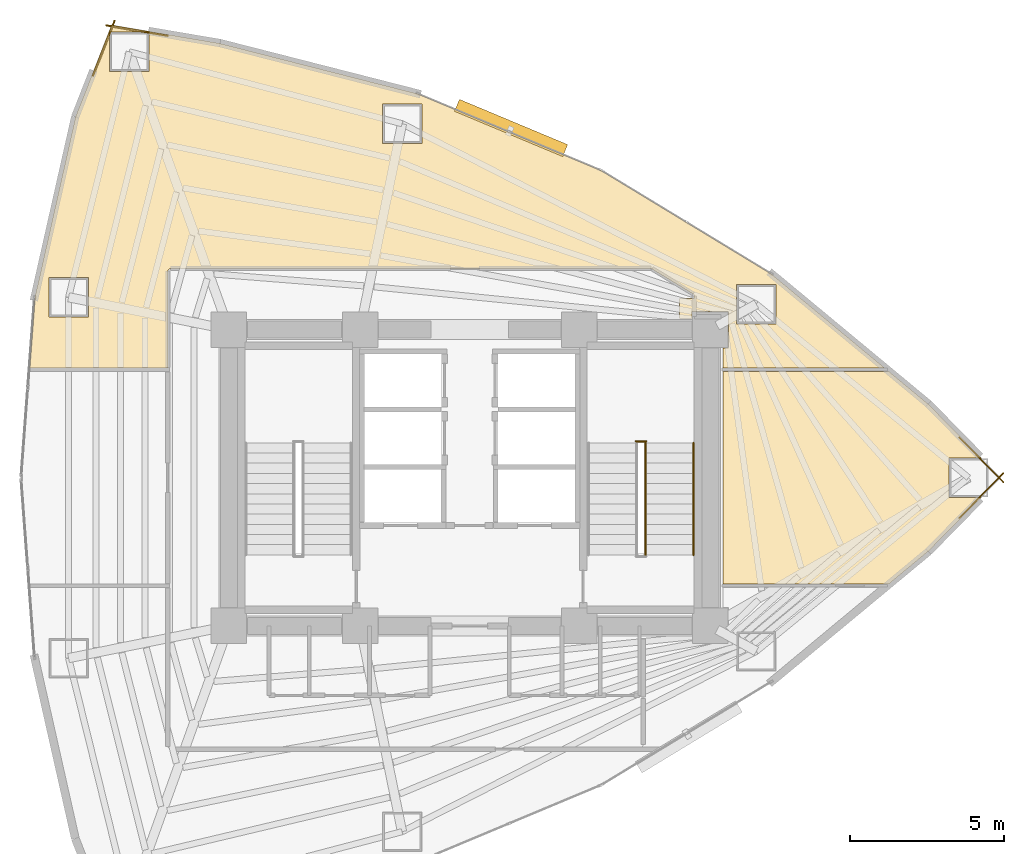
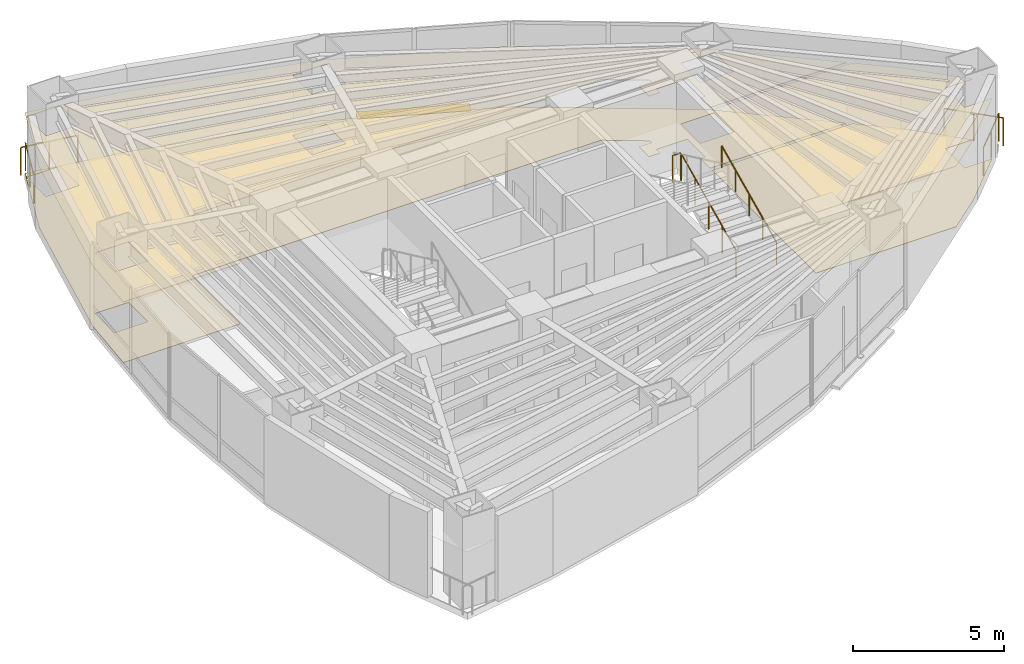
# One storey, part 18 of 18: 7 railings, 4 coverings, 1 shading device.
"""IFC4 building model written with IfcOpenShell, lengths in metres."""

from ifc_helpers import new_model, si_unit, direction, frame, origin, origin_2d, place, context, subcontext, project, spatial, polyline, rectangle, circle, outline, extrude, material, layer, layer_set, type_object, element, save


model = new_model("IFC4")

# Units and contexts
model_context = context("Model", 3, precision=1e-05, world=origin(), true_north=direction((0.0, 1.0)))
body_context = subcontext(model_context, "Body", "Model", "MODEL_VIEW")
ifc_project = project(units=[si_unit("LENGTHUNIT", "METRE"), si_unit("AREAUNIT", "SQUARE_METRE"), si_unit("VOLUMEUNIT", "CUBIC_METRE"), si_unit("PLANEANGLEUNIT", "RADIAN"), si_unit("MASSUNIT", "GRAM", prefix="KILO")], contexts=[model_context])

# Site, building, storey
site_placement = place(None, origin())
site = spatial("IfcSite", under=ifc_project, at=site_placement, CompositionType="ELEMENT")
building_placement = place(site_placement, origin())
building = spatial("IfcBuilding", under=site, at=building_placement, Name="Menara Vayukalpa", CompositionType="ELEMENT")
storey_placement = place(building_placement, frame((0.0, 0.0, 89.10009765625)))
storey = spatial("IfcBuildingStorey", under=building, at=storey_placement, Name="L21", CompositionType="ELEMENT", Elevation=89.10009765625)

# Coverings
ifc_material_1 = material(Name="Mineral Fibre Acoustic Ceiling Tile", Category="masonry")
ifc_layer_1 = layer(ifc_material_1, 0.02490234375)
ifc_layer_set_1 = layer_set([ifc_layer_1], Name="Mineral Fibre Acoustic Ceiling Tile")
covering_type_1 = type_object("IfcCoveringType", Name="COV-CLG1", PredefinedType="CEILING", material=ifc_layer_set_1)
covering_1_placement = place(storey_placement, frame((0.0, 0.0, 2.449951171875)))
element("IfcCovering", 1, at=covering_1_placement, inside=storey, type_object=covering_type_1, Name="L21 Technical Reference Library Acoustic Ceiling", PredefinedType="CEILING", context=body_context, shape_type="SweptSolid", body=[
    extrude(outline(polyline([(42.169677734375, 22.639892578125), (41.121826171875, 22.639892578125), (41.121826171875, 21.360107421875), (42.169677734375, 21.360107421875), (40.461181640625, 19.6201171875), (40.46044921875, 19.619384765625), (39.177978515625, 18.5556640625), (39.17724609375, 18.55517578125), (39.176513671875, 18.5546875), (39.175537109375, 18.55419921875), (39.1748046875, 18.553955078125), (39.173828125, 18.5537109375), (39.1728515625, 18.553466796875), (39.171875, 18.553466796875), (39.1708984375, 18.553466796875), (39.169921875, 18.553466796875), (39.1689453125, 18.5537109375), (39.168212890625, 18.553955078125), (39.167236328125, 18.554443359375), (39.1650390625, 18.555419921875), (39.159423828125, 18.557373046875), (39.15380859375, 18.558837890625), (39.148193359375, 18.559814453125), (39.141845703125, 18.56005859375), (33.820068359375, 18.56005859375), (33.819091796875, 18.56005859375), (33.818115234375, 18.560302734375), (33.817138671875, 18.560302734375), (33.816162109375, 18.560791015625), (33.815185546875, 18.561279296875), (33.814453125, 18.561767578125), (33.813720703125, 18.562255859375), (33.81298828125, 18.56298828125), (33.812255859375, 18.563720703125), (33.811767578125, 18.564453125), (33.811279296875, 18.565185546875), (33.810791015625, 18.566162109375), (33.810302734375, 18.567138671875), (33.810302734375, 18.568115234375), (33.81005859375, 18.569091796875), (33.81005859375, 18.570068359375), (33.81005859375, 25.429931640625), (33.81005859375, 25.430908203125), (33.810302734375, 25.431884765625), (33.810302734375, 25.432861328125), (33.810791015625, 25.433837890625), (33.811279296875, 25.434814453125), (33.811767578125, 25.435546875), (33.812255859375, 25.436279296875), (33.81298828125, 25.43701171875), (33.813720703125, 25.437744140625), (33.814453125, 25.438232421875), (33.815185546875, 25.438720703125), (33.816162109375, 25.439208984375), (33.817138671875, 25.439697265625), (33.818115234375, 25.439697265625), (33.819091796875, 25.43994140625), (33.820068359375, 25.43994140625), (39.141845703125, 25.43994140625), (39.148193359375, 25.440185546875), (39.15380859375, 25.441162109375), (39.159423828125, 25.442626953125), (39.1650390625, 25.444580078125), (39.167236328125, 25.445556640625), (39.168212890625, 25.446044921875), (39.1689453125, 25.4462890625), (39.169921875, 25.446533203125), (39.1708984375, 25.446533203125), (39.171875, 25.446533203125), (39.1728515625, 25.446533203125), (39.173828125, 25.4462890625), (39.1748046875, 25.446044921875), (39.175537109375, 25.44580078125), (39.176513671875, 25.4453125), (39.17724609375, 25.44482421875), (39.177978515625, 25.4443359375), (40.46044921875, 24.380615234375), (40.461181640625, 24.3798828125), (42.169677734375, 22.639892578125)])), origin(), (0.0, 0.0, 1.0), 0.02490234375),
])
covering_2_placement = place(storey_placement, frame((0.0, 0.0, 2.449951171875)))
element("IfcCovering", 2, at=covering_2_placement, inside=storey, type_object=covering_type_1, Name="L21 Staff Dining and Pantry Acoustic Ceiling", PredefinedType="CEILING", context=body_context, shape_type="SweptSolid", body=[
    extrude(outline(polyline([(32.389892578125, 27.81005859375), (32.8701171875, 27.81005859375), (32.8701171875, 27.89111328125), (32.86962890625, 27.8984375), (32.868408203125, 27.905517578125), (32.86669921875, 27.912353515625), (32.8642578125, 27.919189453125), (32.861083984375, 27.925537109375), (32.857177734375, 27.931640625), (32.852783203125, 27.937255859375), (32.847900390625, 27.9423828125), (32.84228515625, 27.947021484375), (32.836181640625, 27.951171875), (31.505126953125, 28.759765625), (31.49951171875, 28.762939453125), (31.49365234375, 28.765380859375), (31.487548828125, 28.767333984375), (31.481201171875, 28.768798828125), (31.47509765625, 28.769775390625), (31.468505859375, 28.77001953125), (15.900390625, 28.77001953125), (15.893310546875, 28.76953125), (15.88623046875, 28.768798828125), (15.879638671875, 28.76708984375), (15.873291015625, 28.7646484375), (15.866943359375, 28.76171875), (15.861083984375, 28.75830078125), (15.85546875, 28.75390625), (15.8505859375, 28.74951171875), (15.845947265625, 28.744384765625), (15.841796875, 28.73876953125), (15.838134765625, 28.73291015625), (15.835205078125, 28.726806640625), (15.8330078125, 28.72021484375), (15.831298828125, 28.713623046875), (15.830322265625, 28.706787109375), (15.830078125, 28.69970703125), (15.830078125, 25.570068359375), (15.830078125, 25.569091796875), (15.829833984375, 25.568115234375), (15.82958984375, 25.567138671875), (15.8291015625, 25.566162109375), (15.828857421875, 25.565185546875), (15.828369140625, 25.564453125), (15.82763671875, 25.563720703125), (15.8271484375, 25.56298828125), (15.826416015625, 25.562255859375), (15.82568359375, 25.561767578125), (15.82470703125, 25.561279296875), (15.82373046875, 25.560791015625), (15.822998046875, 25.560302734375), (15.822021484375, 25.560302734375), (15.821044921875, 25.56005859375), (15.820068359375, 25.56005859375), (11.35595703125, 25.56005859375), (11.35498046875, 25.56005859375), (11.35400390625, 25.560302734375), (11.35302734375, 25.560302734375), (11.352294921875, 25.560791015625), (11.351318359375, 25.56103515625), (11.3505859375, 25.5615234375), (11.349609375, 25.562255859375), (11.34912109375, 25.56298828125), (11.348388671875, 25.563720703125), (11.347900390625, 25.564208984375), (11.347412109375, 25.565185546875), (11.3466796875, 25.56591796875), (11.346435546875, 25.56689453125), (11.34619140625, 25.56787109375), (11.34619140625, 25.56884765625), (11.345947265625, 25.56982421875), (11.345947265625, 25.57080078125), (11.516357421875, 27.843505859375), (11.5166015625, 27.844970703125), (12.831298828125, 33.687744140625), (12.83154296875, 33.6884765625), (12.831787109375, 33.689208984375), (13.997314453125, 36.6572265625), (13.997802734375, 36.658203125), (13.998291015625, 36.658935546875), (13.998779296875, 36.659912109375), (13.99951171875, 36.660400390625), (14.000244140625, 36.6611328125), (14.0009765625, 36.661865234375), (14.001708984375, 36.662353515625), (14.002685546875, 36.66259765625), (14.003662109375, 36.6630859375), (14.00439453125, 36.663330078125), (14.005615234375, 36.66357421875), (14.00634765625, 36.66357421875), (14.00732421875, 36.66357421875), (14.00830078125, 36.66357421875), (17.5078125, 36.0693359375), (17.5087890625, 36.069091796875), (23.903564453125, 34.438232421875), (23.90478515625, 34.437744140625), (29.860595703125, 31.946533203125), (29.861328125, 31.9462890625), (29.862060546875, 31.94580078125), (35.379638671875, 28.593994140625), (35.380859375, 28.59326171875), (39.01708984375, 25.57763671875), (39.017822265625, 25.576904296875), (39.0185546875, 25.576416015625), (39.01904296875, 25.575439453125), (39.01953125, 25.57470703125), (39.02001953125, 25.57373046875), (39.020263671875, 25.572998046875), (39.0205078125, 25.572021484375), (39.020751953125, 25.57080078125), (39.020751953125, 25.570068359375), (39.0205078125, 25.569091796875), (39.0205078125, 25.568115234375), (39.020263671875, 25.567138671875), (39.02001953125, 25.566162109375), (39.01953125, 25.565185546875), (39.01904296875, 25.564453125), (39.018310546875, 25.563720703125), (39.017822265625, 25.56298828125), (39.01708984375, 25.562255859375), (39.01611328125, 25.561767578125), (39.015380859375, 25.561279296875), (39.014404296875, 25.560791015625), (39.013671875, 25.560302734375), (39.0126953125, 25.560302734375), (39.01171875, 25.56005859375), (39.0107421875, 25.56005859375), (33.820068359375, 25.56005859375), (33.819091796875, 25.56005859375), (33.818115234375, 25.560302734375), (33.817138671875, 25.560302734375), (33.816162109375, 25.560791015625), (33.815185546875, 25.561279296875), (33.814453125, 25.561767578125), (33.813720703125, 25.562255859375), (33.81298828125, 25.56298828125), (33.812255859375, 25.563720703125), (33.811767578125, 25.564453125), (33.811279296875, 25.565185546875), (33.810791015625, 25.566162109375), (33.810302734375, 25.567138671875), (33.810302734375, 25.568115234375), (33.81005859375, 25.569091796875), (33.81005859375, 25.570068359375), (33.81005859375, 26.2099609375), (33.989990234375, 26.2099609375), (33.989990234375, 27.389892578125), (32.81005859375, 27.389892578125), (32.81005859375, 27.14990234375), (32.389892578125, 27.14990234375), (32.389892578125, 27.81005859375)]), holes=[polyline([(13.24658203125, 28.485595703125), (11.966552734375, 28.485595703125), (11.966552734375, 27.205810546875), (13.24658203125, 27.205810546875), (13.24658203125, 28.485595703125)]), polyline([(15.208984375, 36.4375), (13.92919921875, 36.4375), (13.92919921875, 35.157470703125), (15.208984375, 35.157470703125), (15.208984375, 36.4375)]), polyline([(35.52685546875, 26.981689453125), (35.52685546875, 28.26171875), (34.246826171875, 28.26171875), (34.246826171875, 26.981689453125), (35.52685546875, 26.981689453125)]), polyline([(24.048095703125, 32.827392578125), (24.048095703125, 34.107421875), (22.768310546875, 34.107421875), (22.768310546875, 32.827392578125), (24.048095703125, 32.827392578125)])]), origin(), (0.0, 0.0, 1.0), 0.02490234375),
])
ifc_material_2 = material(Name="Porcelain Stoneware Floor Tile", Category="masonry")
ifc_layer_2 = layer(ifc_material_2, 0.02001953125)
ifc_layer_set_2 = layer_set([ifc_layer_2], Name="Porcelain Stoneware Floor Tile")
covering_type_2 = type_object("IfcCoveringType", Name="COV-FLR1", PredefinedType="FLOORING", material=ifc_layer_set_2)
covering_3_placement = place(storey_placement, origin())
element("IfcCovering", 3, at=covering_3_placement, inside=storey, type_object=covering_type_2, Name="L21 Technical Reference Library Porcelain Flooring", PredefinedType="FLOORING", context=body_context, shape_type="SweptSolid", body=[
    extrude(outline(polyline([(42.169677734375, 22.639892578125), (41.121826171875, 22.639892578125), (41.121826171875, 21.360107421875), (42.169677734375, 21.360107421875), (40.461181640625, 19.6201171875), (40.46044921875, 19.619384765625), (39.177978515625, 18.5556640625), (39.17724609375, 18.55517578125), (39.176513671875, 18.5546875), (39.175537109375, 18.55419921875), (39.1748046875, 18.553955078125), (39.173828125, 18.5537109375), (39.1728515625, 18.553466796875), (39.171875, 18.553466796875), (39.1708984375, 18.553466796875), (39.169921875, 18.553466796875), (39.1689453125, 18.5537109375), (39.168212890625, 18.553955078125), (39.167236328125, 18.554443359375), (39.1650390625, 18.555419921875), (39.159423828125, 18.557373046875), (39.15380859375, 18.558837890625), (39.148193359375, 18.559814453125), (39.141845703125, 18.56005859375), (33.820068359375, 18.56005859375), (33.819091796875, 18.56005859375), (33.818115234375, 18.560302734375), (33.817138671875, 18.560302734375), (33.816162109375, 18.560791015625), (33.815185546875, 18.561279296875), (33.814453125, 18.561767578125), (33.813720703125, 18.562255859375), (33.81298828125, 18.56298828125), (33.812255859375, 18.563720703125), (33.811767578125, 18.564453125), (33.811279296875, 18.565185546875), (33.810791015625, 18.566162109375), (33.810302734375, 18.567138671875), (33.810302734375, 18.568115234375), (33.81005859375, 18.569091796875), (33.81005859375, 18.570068359375), (33.81005859375, 25.429931640625), (33.81005859375, 25.430908203125), (33.810302734375, 25.431884765625), (33.810302734375, 25.432861328125), (33.810791015625, 25.433837890625), (33.811279296875, 25.434814453125), (33.811767578125, 25.435546875), (33.812255859375, 25.436279296875), (33.81298828125, 25.43701171875), (33.813720703125, 25.437744140625), (33.814453125, 25.438232421875), (33.815185546875, 25.438720703125), (33.816162109375, 25.439208984375), (33.817138671875, 25.439697265625), (33.818115234375, 25.439697265625), (33.819091796875, 25.43994140625), (33.820068359375, 25.43994140625), (39.141845703125, 25.43994140625), (39.148193359375, 25.440185546875), (39.15380859375, 25.441162109375), (39.159423828125, 25.442626953125), (39.1650390625, 25.444580078125), (39.167236328125, 25.445556640625), (39.168212890625, 25.446044921875), (39.1689453125, 25.4462890625), (39.169921875, 25.446533203125), (39.1708984375, 25.446533203125), (39.171875, 25.446533203125), (39.1728515625, 25.446533203125), (39.173828125, 25.4462890625), (39.1748046875, 25.446044921875), (39.175537109375, 25.44580078125), (39.176513671875, 25.4453125), (39.17724609375, 25.44482421875), (39.177978515625, 25.4443359375), (40.46044921875, 24.380615234375), (40.461181640625, 24.3798828125), (42.169677734375, 22.639892578125)])), origin(), (0.0, 0.0, 1.0), 0.02001953125),
])
covering_4_placement = place(storey_placement, origin())
element("IfcCovering", 4, at=covering_4_placement, inside=storey, type_object=covering_type_2, Name="L21 Staff Dining and Pantry Porcelain Flooring", PredefinedType="FLOORING", context=body_context, shape_type="SweptSolid", body=[
    extrude(outline(polyline([(32.389892578125, 27.81005859375), (32.8701171875, 27.81005859375), (32.8701171875, 27.89111328125), (32.86962890625, 27.8984375), (32.868408203125, 27.905517578125), (32.86669921875, 27.912353515625), (32.8642578125, 27.919189453125), (32.861083984375, 27.925537109375), (32.857177734375, 27.931640625), (32.852783203125, 27.937255859375), (32.847900390625, 27.9423828125), (32.84228515625, 27.947021484375), (32.836181640625, 27.951171875), (31.505126953125, 28.759765625), (31.49951171875, 28.762939453125), (31.49365234375, 28.765380859375), (31.487548828125, 28.767333984375), (31.481201171875, 28.768798828125), (31.47509765625, 28.769775390625), (31.468505859375, 28.77001953125), (15.900390625, 28.77001953125), (15.893310546875, 28.76953125), (15.88623046875, 28.768798828125), (15.879638671875, 28.76708984375), (15.873291015625, 28.7646484375), (15.866943359375, 28.76171875), (15.861083984375, 28.75830078125), (15.85546875, 28.75390625), (15.8505859375, 28.74951171875), (15.845947265625, 28.744384765625), (15.841796875, 28.73876953125), (15.838134765625, 28.73291015625), (15.835205078125, 28.726806640625), (15.8330078125, 28.72021484375), (15.831298828125, 28.713623046875), (15.830322265625, 28.706787109375), (15.830078125, 28.69970703125), (15.830078125, 25.570068359375), (15.830078125, 25.569091796875), (15.829833984375, 25.568115234375), (15.82958984375, 25.567138671875), (15.8291015625, 25.566162109375), (15.828857421875, 25.565185546875), (15.828369140625, 25.564453125), (15.82763671875, 25.563720703125), (15.8271484375, 25.56298828125), (15.826416015625, 25.562255859375), (15.82568359375, 25.561767578125), (15.82470703125, 25.561279296875), (15.82373046875, 25.560791015625), (15.822998046875, 25.560302734375), (15.822021484375, 25.560302734375), (15.821044921875, 25.56005859375), (15.820068359375, 25.56005859375), (11.35595703125, 25.56005859375), (11.35498046875, 25.56005859375), (11.35400390625, 25.560302734375), (11.35302734375, 25.560302734375), (11.352294921875, 25.560791015625), (11.351318359375, 25.56103515625), (11.3505859375, 25.5615234375), (11.349609375, 25.562255859375), (11.34912109375, 25.56298828125), (11.348388671875, 25.563720703125), (11.347900390625, 25.564208984375), (11.347412109375, 25.565185546875), (11.3466796875, 25.56591796875), (11.346435546875, 25.56689453125), (11.34619140625, 25.56787109375), (11.34619140625, 25.56884765625), (11.345947265625, 25.56982421875), (11.345947265625, 25.57080078125), (11.516357421875, 27.843505859375), (11.5166015625, 27.844970703125), (12.831298828125, 33.687744140625), (12.83154296875, 33.6884765625), (12.831787109375, 33.689208984375), (13.997314453125, 36.6572265625), (13.997802734375, 36.658203125), (13.998291015625, 36.658935546875), (13.998779296875, 36.659912109375), (13.99951171875, 36.660400390625), (14.000244140625, 36.6611328125), (14.0009765625, 36.661865234375), (14.001708984375, 36.662353515625), (14.002685546875, 36.66259765625), (14.003662109375, 36.6630859375), (14.00439453125, 36.663330078125), (14.005615234375, 36.66357421875), (14.00634765625, 36.66357421875), (14.00732421875, 36.66357421875), (14.00830078125, 36.66357421875), (17.5078125, 36.0693359375), (17.5087890625, 36.069091796875), (23.903564453125, 34.438232421875), (23.90478515625, 34.437744140625), (29.860595703125, 31.946533203125), (29.861328125, 31.9462890625), (29.862060546875, 31.94580078125), (35.379638671875, 28.593994140625), (35.380859375, 28.59326171875), (39.01708984375, 25.57763671875), (39.017822265625, 25.576904296875), (39.0185546875, 25.576416015625), (39.01904296875, 25.575439453125), (39.01953125, 25.57470703125), (39.02001953125, 25.57373046875), (39.020263671875, 25.572998046875), (39.0205078125, 25.572021484375), (39.020751953125, 25.57080078125), (39.020751953125, 25.570068359375), (39.0205078125, 25.569091796875), (39.0205078125, 25.568115234375), (39.020263671875, 25.567138671875), (39.02001953125, 25.566162109375), (39.01953125, 25.565185546875), (39.01904296875, 25.564453125), (39.018310546875, 25.563720703125), (39.017822265625, 25.56298828125), (39.01708984375, 25.562255859375), (39.01611328125, 25.561767578125), (39.015380859375, 25.561279296875), (39.014404296875, 25.560791015625), (39.013671875, 25.560302734375), (39.0126953125, 25.560302734375), (39.01171875, 25.56005859375), (39.0107421875, 25.56005859375), (33.820068359375, 25.56005859375), (33.819091796875, 25.56005859375), (33.818115234375, 25.560302734375), (33.817138671875, 25.560302734375), (33.816162109375, 25.560791015625), (33.815185546875, 25.561279296875), (33.814453125, 25.561767578125), (33.813720703125, 25.562255859375), (33.81298828125, 25.56298828125), (33.812255859375, 25.563720703125), (33.811767578125, 25.564453125), (33.811279296875, 25.565185546875), (33.810791015625, 25.566162109375), (33.810302734375, 25.567138671875), (33.810302734375, 25.568115234375), (33.81005859375, 25.569091796875), (33.81005859375, 25.570068359375), (33.81005859375, 26.2099609375), (33.989990234375, 26.2099609375), (33.989990234375, 27.389892578125), (32.81005859375, 27.389892578125), (32.81005859375, 27.14990234375), (32.389892578125, 27.14990234375), (32.389892578125, 27.81005859375)]), holes=[polyline([(13.24658203125, 28.485595703125), (11.966552734375, 28.485595703125), (11.966552734375, 27.205810546875), (13.24658203125, 27.205810546875), (13.24658203125, 28.485595703125)]), polyline([(15.208984375, 36.4375), (13.92919921875, 36.4375), (13.92919921875, 35.157470703125), (15.208984375, 35.157470703125), (15.208984375, 36.4375)]), polyline([(35.52685546875, 26.981689453125), (35.52685546875, 28.26171875), (34.246826171875, 28.26171875), (34.246826171875, 26.981689453125), (35.52685546875, 26.981689453125)]), polyline([(24.048095703125, 32.827392578125), (24.048095703125, 34.107421875), (22.768310546875, 34.107421875), (22.768310546875, 32.827392578125), (24.048095703125, 32.827392578125)])]), origin(), (0.0, 0.0, 1.0), 0.02001953125),
])

# Railings
ifc_material_3 = material(Name="Laminated Glass and Stainless Steel 316 Guardrail", Category="steel")
railing_type_1 = type_object("IfcRailingType", Name="RLG-EXT115", PredefinedType="GUARDRAIL", material=ifc_material_3)
railing_1_placement = place(storey_placement, frame((41.458740234375, 20.693115234375, 0.0)))
element("IfcRailing", 5, at=railing_1_placement, inside=storey, type_object=railing_type_1, Name="L21 Column Corner Spandrel Guardrail 01-1", PredefinedType="GUARDRAIL", context=body_context, shape_type="SweptSolid", body=[
    extrude(circle(Radius=0.02392578125, at=origin_2d()), frame((0.0, 0.0, 1.1259765625), z_axis=(0.700555740742, 0.713597683652, 0.0), x_axis=(-0.713597683652, 0.700555740742, 0.0)), (0.0, 0.0, 1.0), 2.04052734375),
    extrude(circle(Radius=0.02099609375, at=origin_2d()), origin(), (0.0, 0.0, 1.0), 1.101806640625),
    extrude(circle(Radius=0.02099609375, at=origin_2d()), frame((0.71484375, 0.72802734375, 0.0)), (0.0, 0.0, 1.0), 1.101806640625),
    extrude(circle(Radius=0.02099609375, at=origin_2d()), frame((1.429443359375, 1.4560546875, 0.0)), (0.0, 0.0, 1.0), 1.101806640625),
])
railing_2_placement = place(storey_placement, frame((42.88818359375, 21.850830078125, 0.0)))
element("IfcRailing", 6, at=railing_2_placement, inside=storey, type_object=railing_type_1, Name="L21 Column Corner Spandrel Guardrail 02-1", PredefinedType="GUARDRAIL", context=body_context, shape_type="SweptSolid", body=[
    extrude(circle(Radius=0.02392578125, at=origin_2d()), frame((0.0, 0.0, 1.1259765625), z_axis=(-0.700555740742, 0.713597683652, 0.0), x_axis=(-0.713597683652, -0.700555740742, 0.0)), (0.0, 0.0, 1.0), 2.04052734375),
    extrude(circle(Radius=0.02099609375, at=origin_2d()), origin(), (0.0, 0.0, 1.0), 1.101806640625),
    extrude(circle(Radius=0.02099609375, at=origin_2d()), frame((-0.71484375, 0.72802734375, 0.0)), (0.0, 0.0, 1.0), 1.101806640625),
    extrude(circle(Radius=0.02099609375, at=origin_2d()), frame((-1.429443359375, 1.4560546875, 0.0)), (0.0, 0.0, 1.0), 1.101806640625),
])
railing_3_placement = place(storey_placement, frame((15.818359375, 36.315673828125, 0.0)))
element("IfcRailing", 7, at=railing_3_placement, inside=storey, type_object=railing_type_1, Name="L21 Column Corner Spandrel Guardrail 07-1", PredefinedType="GUARDRAIL", context=body_context, shape_type="SweptSolid", body=[
    extrude(circle(Radius=0.02392578125, at=origin_2d()), frame((0.0, 0.0, 1.1259765625), z_axis=(-0.985895977605, 0.16735925831, 0.0), x_axis=(-0.16735925831, -0.985895977605, 0.0)), (0.0, 0.0, 1.0), 2.01904296875),
    extrude(circle(Radius=0.02099609375, at=origin_2d()), origin(), (0.0, 0.0, 1.0), 1.101806640625),
    extrude(circle(Radius=0.02099609375, at=origin_2d()), frame((-0.9951171875, 0.1689453125, 0.0)), (0.0, 0.0, 1.0), 1.101806640625),
    extrude(circle(Radius=0.02099609375, at=origin_2d()), frame((-1.990478515625, 0.337890625, 0.0)), (0.0, 0.0, 1.0), 1.101806640625),
])
railing_4_placement = place(storey_placement, frame((14.09912109375, 36.806640625, 0.0)))
element("IfcRailing", 8, at=railing_4_placement, inside=storey, type_object=railing_type_1, Name="L21 Column Corner Spandrel Guardrail 08-1", PredefinedType="GUARDRAIL", context=body_context, shape_type="SweptSolid", body=[
    extrude(circle(Radius=0.02392578125, at=origin_2d()), frame((0.0, 0.0, 1.1259765625), z_axis=(-0.365573386764, -0.930782519652, 0.0), x_axis=(0.930782519652, -0.365573386764, 0.0)), (0.0, 0.0, 1.0), 1.91259765625),
    extrude(circle(Radius=0.02099609375, at=origin_2d()), origin(), (0.0, 0.0, 1.0), 1.101806640625),
    extrude(circle(Radius=0.02099609375, at=origin_2d()), frame((-0.349609375, -0.89013671875, 0.0)), (0.0, 0.0, 1.0), 1.101806640625),
    extrude(circle(Radius=0.02099609375, at=origin_2d()), frame((-0.69921875, -1.7802734375, 0.0)), (0.0, 0.0, 1.0), 1.101806640625),
])
ifc_material_4 = material(Name="Powder-Coated Galvanised Steel Guardrail", Category="steel")
railing_type_2 = type_object("IfcRailingType", Name="RLG-STG110", PredefinedType="GUARDRAIL", material=ifc_material_4)
railing_5_placement = place(storey_placement, frame((31.300048828125, 19.5, 0.15478515625)))
element("IfcRailing", 9, at=railing_5_placement, inside=storey, type_object=railing_type_2, Name="L21 ST-2 stair guard 1", PredefinedType="GUARDRAIL", context=body_context, shape_type="SweptSolid", body=[
    extrude(circle(Radius=0.02392578125, at=origin_2d()), frame((0.0, 0.0, 1.09619140625), z_axis=(0.0, 0.90511648382, 0.425163675209), x_axis=(-1.0, 0.0, 0.0)), (0.0, 0.0, 1.0), 4.010498046875),
    extrude(circle(Radius=0.02099609375, at=origin_2d()), origin(), (0.0, 0.0, 1.0), 1.072021484375),
    extrude(circle(Radius=0.02099609375, at=origin_2d()), frame((0.0, 0.907470703125, 0.42626953125)), (0.0, 0.0, 1.0), 1.072021484375),
    extrude(circle(Radius=0.02099609375, at=origin_2d()), frame((0.0, 1.81494140625, 0.8525390625)), (0.0, 0.0, 1.0), 1.072021484375),
    extrude(circle(Radius=0.02099609375, at=origin_2d()), frame((0.0, 2.722412109375, 1.27880859375)), (0.0, 0.0, 1.0), 1.072021484375),
    extrude(circle(Radius=0.02099609375, at=origin_2d()), frame((0.0, 3.6298828125, 1.705078125)), (0.0, 0.0, 1.0), 1.072021484375),
])
railing_6_placement = place(storey_placement, frame((31.31005859375, 23.179931640625, 1.85986328125)))
element("IfcRailing", 10, at=railing_6_placement, inside=storey, type_object=railing_type_2, Name="L21 ST-2 stair guard 2", PredefinedType="GUARDRAIL", context=body_context, shape_type="SweptSolid", body=[
    extrude(circle(Radius=0.02392578125, at=origin_2d()), frame((0.0, 0.0, 1.09619140625), z_axis=(-1.0, 0.0, 0.0), x_axis=(0.0, -1.0, 0.0)), (0.0, 0.0, 1.0), 0.320068359375),
    extrude(circle(Radius=0.02099609375, at=origin_2d()), origin(), (0.0, 0.0, 1.0), 1.072021484375),
    extrude(circle(Radius=0.02099609375, at=origin_2d()), frame((-0.320068359375, 0.0, 0.0)), (0.0, 0.0, 1.0), 1.072021484375),
])
ifc_material_5 = material(Name="Stainless Steel 316 Tubular Handrail", Category="steel")
railing_type_3 = type_object("IfcRailingType", Name="RLG-STH090", PredefinedType="HANDRAIL", material=ifc_material_5)
railing_7_placement = place(storey_placement, frame((32.85009765625, 19.5, 0.15478515625)))
element("IfcRailing", 11, at=railing_7_placement, inside=storey, type_object=railing_type_3, Name="L21 ST-2 stair handrail 1", PredefinedType="HANDRAIL", context=body_context, shape_type="SweptSolid", body=[
    extrude(circle(Radius=0.02392578125, at=origin_2d()), frame((0.0, 0.0, 0.8759765625), z_axis=(0.0, 0.90511648382, 0.425163675209), x_axis=(-1.0, 0.0, 0.0)), (0.0, 0.0, 1.0), 4.010498046875),
    extrude(circle(Radius=0.02099609375, at=origin_2d()), origin(), (0.0, 0.0, 1.0), 0.851806640625),
    extrude(circle(Radius=0.02099609375, at=origin_2d()), frame((0.0, 0.907470703125, 0.42626953125)), (0.0, 0.0, 1.0), 0.851806640625),
    extrude(circle(Radius=0.02099609375, at=origin_2d()), frame((0.0, 1.81494140625, 0.8525390625)), (0.0, 0.0, 1.0), 0.851806640625),
    extrude(circle(Radius=0.02099609375, at=origin_2d()), frame((0.0, 2.722412109375, 1.27880859375)), (0.0, 0.0, 1.0), 0.851806640625),
    extrude(circle(Radius=0.02099609375, at=origin_2d()), frame((0.0, 3.6298828125, 1.705078125)), (0.0, 0.0, 1.0), 0.851806640625),
])

# Shading device
ifc_material_6 = material(Name="Glazed Terracotta Ceramic Baguette Extrusion", Category="masonry")
ifc_layer_3 = layer(ifc_material_6, 0.1201171875)
ifc_layer_set_3 = layer_set([ifc_layer_3], Name="Glazed Terracotta Ceramic Baguette Extrusion")
shading_device_type = type_object("IfcShadingDeviceType", Name="SHD-SS1", PredefinedType="USERDEFINED", material=ifc_layer_set_3)
shading_device_placement = place(storey_placement, frame((26.940673828125, 33.33056640625, -0.10009765625), z_axis=(0.0, 0.0, 1.0), x_axis=(-0.922544824647, 0.385889940938, 0.0)))
element("IfcShadingDevice", 12, at=shading_device_placement, inside=storey, type_object=shading_device_type, Name="L21 Horizontal Terracotta Sunshade Band 05", ObjectType="SUNSHADE", PredefinedType="USERDEFINED", context=body_context, shape_type="SweptSolid", body=[
    extrude(rectangle(XDim=3.800048828125, YDim=0.419921875, at=origin_2d()), origin(), (0.0, 0.0, 1.0), 0.1201171875),
])

save(model, "model.ifc")
